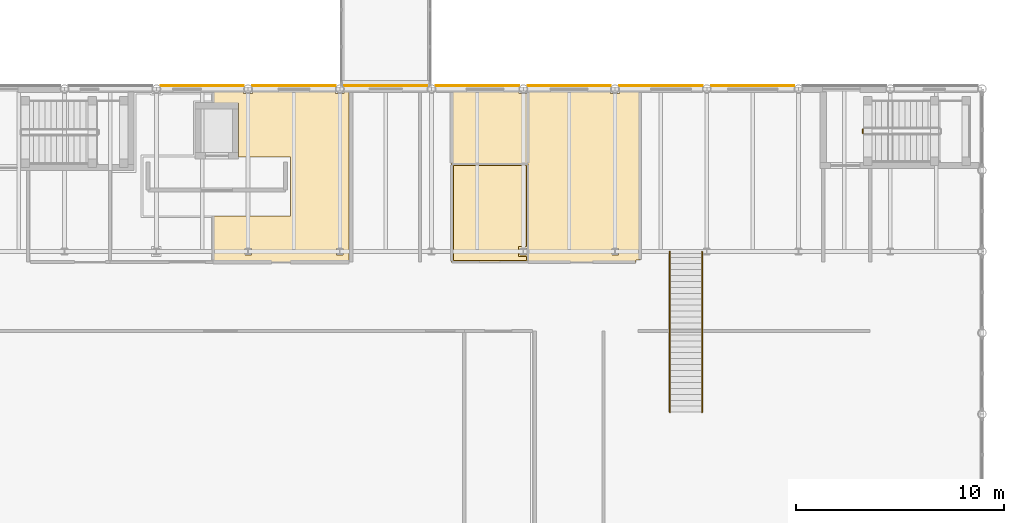
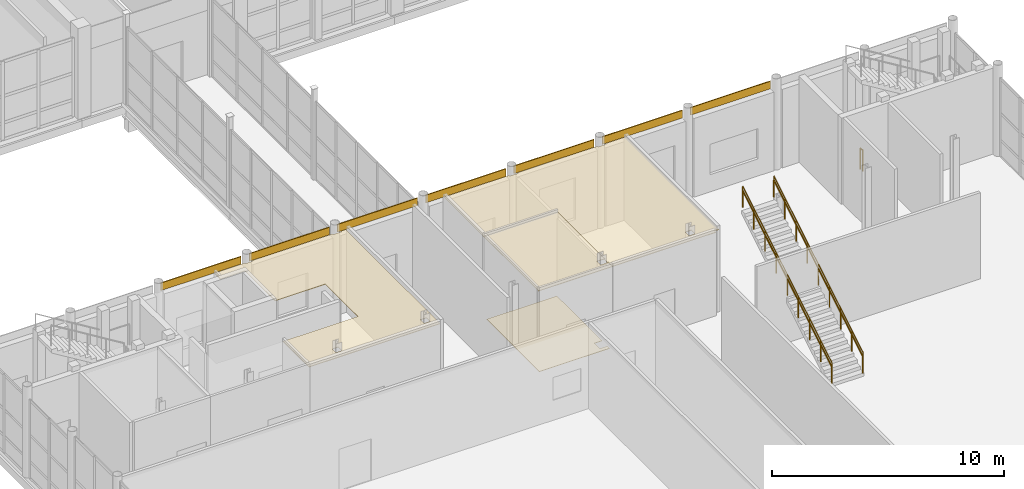
# One storey, part 121 of 131: 11 coverings, 5 railings.
"""IFC4 building model written with IfcOpenShell, lengths in metres."""

from ifc_helpers import new_model, si_unit, direction, frame, origin, origin_2d, place, context, subcontext, project, spatial, polyline, rectangle, circle, outline, extrude, material, layer, layer_set, type_object, element, save


model = new_model("IFC4")

# Units and contexts
model_context = context("Model", 3, precision=1e-05, world=origin(), true_north=direction((0.0, 1.0)))
body_context = subcontext(model_context, "Body", "Model", "MODEL_VIEW")
ifc_project = project(units=[si_unit("LENGTHUNIT", "METRE"), si_unit("AREAUNIT", "SQUARE_METRE"), si_unit("VOLUMEUNIT", "CUBIC_METRE"), si_unit("PLANEANGLEUNIT", "RADIAN"), si_unit("MASSUNIT", "GRAM", prefix="KILO")], contexts=[model_context])

# Site, building, storey
site_placement = place(None, origin())
site = spatial("IfcSite", under=ifc_project, at=site_placement, CompositionType="ELEMENT")
building_placement = place(site_placement, origin())
building = spatial("IfcBuilding", under=site, at=building_placement, Name="Celorna Specialist Clinic", CompositionType="ELEMENT")
storey_placement = place(building_placement, origin())
storey = spatial("IfcBuildingStorey", under=building, at=storey_placement, Name="L00", CompositionType="ELEMENT", Elevation=0.0)

# Railings
ifc_material_1 = material(Name="Stainless steel and laminated glass balustrade", Category="steel")
railing_type_1 = type_object("IfcRailingType", Name="BL-01", PredefinedType="BALUSTRADE", material=ifc_material_1)
for number, where, name in (
    (1, (89.574951171875, 62.5, 0.17138671875), "Feature stair ST-15 balustrade"),
    (2, (88.02490234375, 62.5, 0.17138671875), "Feature stair ST-15 balustrade"),
):
    element("IfcRailing", number, at=place(storey_placement, frame(where)), inside=storey, type_object=railing_type_1, Name=name, PredefinedType="BALUSTRADE", context=body_context, shape_type="SweptSolid", body=[
        extrude(circle(Radius=0.02392578125, at=origin_2d()), frame((0.0, 0.0, 1.09619140625), z_axis=(0.0, 0.856921461139, 0.515446999642), x_axis=(-1.0, 0.0, 0.0)), (0.0, 0.0, 1.0), 8.97998046875),
        extrude(circle(Radius=0.02099609375, at=origin_2d()), origin(), (0.0, 0.0, 1.0), 1.072021484375),
        extrude(circle(Radius=0.02099609375, at=origin_2d()), frame((0.0, 0.9619140625, 0.57861328125)), (0.0, 0.0, 1.0), 1.072021484375),
        extrude(circle(Radius=0.02099609375, at=origin_2d()), frame((0.0, 1.923828125, 1.1572265625)), (0.0, 0.0, 1.0), 1.072021484375),
        extrude(circle(Radius=0.02099609375, at=origin_2d()), frame((0.0, 2.8857421875, 1.73583984375)), (0.0, 0.0, 1.0), 1.072021484375),
        extrude(circle(Radius=0.02099609375, at=origin_2d()), frame((0.0, 3.84765625, 2.314453125)), (0.0, 0.0, 1.0), 1.072021484375),
        extrude(circle(Radius=0.02099609375, at=origin_2d()), frame((0.0, 4.809326171875, 2.892822265625)), (0.0, 0.0, 1.0), 1.072021484375),
        extrude(circle(Radius=0.02099609375, at=origin_2d()), frame((0.0, 5.771240234375, 3.471435546875)), (0.0, 0.0, 1.0), 1.072021484375),
        extrude(circle(Radius=0.02099609375, at=origin_2d()), frame((0.0, 6.733154296875, 4.050048828125)), (0.0, 0.0, 1.0), 1.072021484375),
        extrude(circle(Radius=0.02099609375, at=origin_2d()), frame((0.0, 7.695068359375, 4.628662109375)), (0.0, 0.0, 1.0), 1.072021484375),
    ])

# Coverings
ifc_material_2 = material(Name="Hygienic acoustic mineral-fibre ceiling")
ifc_layer_1 = layer(ifc_material_2, 0.030029296875, Name="Hygienic acoustic mineral-fibre ceiling")
ifc_layer_set_1 = layer_set([ifc_layer_1], Name="Hygienic acoustic mineral-fibre ceiling")
covering_type_1 = type_object("IfcCoveringType", Name="CE-01", PredefinedType="CEILING", material=ifc_layer_set_1)
covering_1_placement = place(storey_placement, frame((0.0, 0.0, 4.330078125)))
element("IfcCovering", 3, at=covering_1_placement, inside=storey, type_object=covering_type_1, Name="Acoustic ceiling L00-021", PredefinedType="CEILING", context=body_context, shape_type="SweptSolid", body=[
    extrude(outline(polyline([(71.99169921875, 77.844970703125), (71.99169921875, 77.791748046875), (72.408203125, 77.791748046875), (72.408203125, 77.844970703125), (72.64501953125, 77.844970703125), (72.64501953125, 69.68505859375), (66.10498046875, 69.68505859375), (66.10498046875, 71.9150390625), (69.8349609375, 71.9150390625), (69.8349609375, 74.735107421875), (67.3349609375, 74.735107421875), (67.3349609375, 77.3349609375), (66.10498046875, 77.3349609375), (66.10498046875, 77.844970703125), (67.591796875, 77.844970703125), (67.591796875, 77.791748046875), (68.00830078125, 77.791748046875), (68.00830078125, 77.844970703125), (71.99169921875, 77.844970703125)]), holes=[polyline([(72.35498046875, 70.044921875), (72.35498046875, 70.35498046875), (72.044921875, 70.35498046875), (72.044921875, 70.044921875), (72.35498046875, 70.044921875)]), polyline([(67.955078125, 70.044921875), (67.955078125, 70.35498046875), (67.64501953125, 70.35498046875), (67.64501953125, 70.044921875), (67.955078125, 70.044921875)])]), origin(), (0.0, 0.0, 1.0), 0.030029296875),
])
covering_2_placement = place(storey_placement, frame((0.0, 0.0, 4.330078125)))
element("IfcCovering", 4, at=covering_2_placement, inside=storey, type_object=covering_type_1, Name="Acoustic ceiling L00-022", PredefinedType="CEILING", context=body_context, shape_type="SweptSolid", body=[
    extrude(outline(polyline([(81.235107421875, 74.4150390625), (81.235107421875, 70.344970703125), (81.155029296875, 70.344970703125), (81.155029296875, 70.35498046875), (80.844970703125, 70.35498046875), (80.844970703125, 70.044921875), (81.155029296875, 70.044921875), (81.155029296875, 70.054931640625), (81.235107421875, 70.054931640625), (81.235107421875, 69.68505859375), (77.554931640625, 69.68505859375), (77.554931640625, 74.4150390625), (81.235107421875, 74.4150390625)])), origin(), (0.0, 0.0, 1.0), 0.030029296875),
])
covering_3_placement = place(storey_placement, frame((0.0, 0.0, 4.330078125)))
element("IfcCovering", 5, at=covering_3_placement, inside=storey, type_object=covering_type_1, Name="Acoustic ceiling L00-023", PredefinedType="CEILING", context=body_context, shape_type="SweptSolid", body=[
    extrude(outline(polyline([(85.19189453125, 77.844970703125), (85.19189453125, 77.791748046875), (85.608154296875, 77.791748046875), (85.608154296875, 77.844970703125), (86.614990234375, 77.844970703125), (86.614990234375, 69.804931640625), (86.39501953125, 69.804931640625), (86.39501953125, 69.68505859375), (81.205078125, 69.68505859375), (81.205078125, 74.385009765625), (77.554931640625, 74.385009765625), (77.554931640625, 77.844970703125), (80.791748046875, 77.844970703125), (80.791748046875, 77.791748046875), (81.208251953125, 77.791748046875), (81.208251953125, 77.844970703125), (85.19189453125, 77.844970703125)]), holes=[polyline([(85.554931640625, 70.35498046875), (85.2451171875, 70.35498046875), (85.2451171875, 70.044921875), (85.554931640625, 70.044921875), (85.554931640625, 70.35498046875)])]), origin(), (0.0, 0.0, 1.0), 0.030029296875),
])
ifc_material_3 = material(Name="Pero Pinheiro Lioz limestone rainscreen cladding", Category="masonry")
ifc_layer_2 = layer(ifc_material_3, 0.044921875, Name="Pero Pinheiro Lioz limestone rainscreen cladding")
ifc_layer_set_2 = layer_set([ifc_layer_2], Name="Pero Pinheiro Lioz limestone rainscreen cladding")
covering_type_2 = type_object("IfcCoveringType", Name="CL-01", PredefinedType="CLADDING", material=ifc_layer_set_2)
for number, where, z_axis, x_axis, name in (
    (6, (65.60009765625, 78.1474609375, 4.14013671875), (0.0, 0.0, 1.0), (1.0, 0.0, 0.0), "Lioz spandrel cladding #82"),
    (7, (70.0, 78.1474609375, 4.14013671875), (0.0, 0.0, 1.0), (1.0, 0.0, 0.0), "Lioz spandrel cladding #83"),
    (8, (74.39990234375, 78.1474609375, 4.14013671875), (0.0, 0.0, 1.0), (1.0, 0.0, 0.0), "Lioz spandrel cladding #84"),
    (9, (78.800048828125, 78.1474609375, 4.14013671875), (0.0, 0.0, 1.0), (1.0, 0.0, 0.0), "Lioz spandrel cladding #85"),
    (10, (83.199951171875, 78.1474609375, 4.14013671875), (0.0, 0.0, 1.0), (1.0, 0.0, 0.0), "Lioz spandrel cladding #86"),
    (11, (87.60009765625, 78.1474609375, 4.14013671875), (0.0, 0.0, 1.0), (1.0, 0.0, 0.0), "Lioz spandrel cladding #87"),
    (12, (92.0, 78.1474609375, 4.14013671875), (0.0, 0.0, 1.0), (1.0, 0.0, 0.0), "Lioz spandrel cladding #88"),
):
    element("IfcCovering", number, at=place(storey_placement, frame(where, z_axis=z_axis, x_axis=x_axis)), inside=storey, type_object=covering_type_2, Name=name, PredefinedType="CLADDING", context=body_context, shape_type="SweptSolid", body=[
        extrude(rectangle(XDim=3.99365234375, YDim=0.044921875, at=origin_2d()), origin(), (0.0, 0.0, 1.0), 0.39990234375),
    ])
ifc_material_4 = material(Name="Seamless antimicrobial clinical vinyl and Lioz terrazzo flooring")
ifc_layer_3 = layer(ifc_material_4, 0.02001953125, Name="Seamless antimicrobial clinical vinyl and Lioz terrazzo flooring")
ifc_layer_set_3 = layer_set([ifc_layer_3], Name="Seamless antimicrobial clinical vinyl and Lioz terrazzo flooring")
covering_type_3 = type_object("IfcCoveringType", Name="FL-01", PredefinedType="FLOORING", material=ifc_layer_set_3)
covering_4_placement = place(storey_placement, origin())
element("IfcCovering", 13, at=covering_4_placement, inside=storey, type_object=covering_type_3, Name="Antimicrobial clinical flooring L00-022", PredefinedType="FLOORING", context=body_context, shape_type="SweptSolid", body=[
    extrude(outline(polyline([(77.64501953125, 74.324951171875), (81.14501953125, 74.324951171875), (81.14501953125, 70.43505859375), (80.764892578125, 70.43505859375), (80.764892578125, 69.965087890625), (81.14501953125, 69.965087890625), (81.14501953125, 69.77490234375), (77.64501953125, 69.77490234375), (77.64501953125, 74.324951171875)])), origin(), (0.0, 0.0, 1.0), 0.02001953125),
])

# Railings
ifc_material_5 = material(Name="Powder-coated steel S355", Category="steel")
railing_type_2 = type_object("IfcRailingType", Name="GR-01", PredefinedType="GUARDRAIL", material=ifc_material_5)
railing_placement = place(storey_placement, frame((97.2900390625, 75.8798828125, 0.0)))
element("IfcRailing", 14, at=railing_placement, inside=storey, type_object=railing_type_2, Name="L00 ST-11 stair guard 4", PredefinedType="GUARDRAIL", context=body_context, shape_type="SweptSolid", body=[
    extrude(circle(Radius=0.02392578125, at=origin_2d()), frame((0.0, 0.0, 1.09619140625), z_axis=(0.0, 1.0, 0.0), x_axis=(-1.0, 0.0, 0.0)), (0.0, 0.0, 1.0), 0.2001953125),
    extrude(circle(Radius=0.02099609375, at=origin_2d()), origin(), (0.0, 0.0, 1.0), 1.072021484375),
    extrude(circle(Radius=0.02099609375, at=origin_2d()), frame((0.0, 0.2001953125, 0.0)), (0.0, 0.0, 1.0), 1.072021484375),
])
ifc_material_6 = material(Name="Brushed stainless steel handrail", Category="steel")
railing_type_3 = type_object("IfcRailingType", Name="HR-01", PredefinedType="HANDRAIL", material=ifc_material_6)
for number, where, name in (
    (15, (89.574951171875, 62.5, 0.17138671875), "Feature stair ST-15 handrail"),
    (16, (88.02490234375, 62.5, 0.17138671875), "Feature stair ST-15 handrail"),
):
    element("IfcRailing", number, at=place(storey_placement, frame(where)), inside=storey, type_object=railing_type_3, Name=name, PredefinedType="HANDRAIL", context=body_context, shape_type="SweptSolid", body=[
        extrude(circle(Radius=0.02392578125, at=origin_2d()), frame((0.0, 0.0, 0.8759765625), z_axis=(0.0, 0.856921461139, 0.515446999642), x_axis=(-1.0, 0.0, 0.0)), (0.0, 0.0, 1.0), 8.97998046875),
        extrude(circle(Radius=0.02099609375, at=origin_2d()), origin(), (0.0, 0.0, 1.0), 0.851806640625),
        extrude(circle(Radius=0.02099609375, at=origin_2d()), frame((0.0, 0.9619140625, 0.57861328125)), (0.0, 0.0, 1.0), 0.851806640625),
        extrude(circle(Radius=0.02099609375, at=origin_2d()), frame((0.0, 1.923828125, 1.1572265625)), (0.0, 0.0, 1.0), 0.851806640625),
        extrude(circle(Radius=0.02099609375, at=origin_2d()), frame((0.0, 2.8857421875, 1.73583984375)), (0.0, 0.0, 1.0), 0.851806640625),
        extrude(circle(Radius=0.02099609375, at=origin_2d()), frame((0.0, 3.84765625, 2.314453125)), (0.0, 0.0, 1.0), 0.851806640625),
        extrude(circle(Radius=0.02099609375, at=origin_2d()), frame((0.0, 4.809326171875, 2.892822265625)), (0.0, 0.0, 1.0), 0.851806640625),
        extrude(circle(Radius=0.02099609375, at=origin_2d()), frame((0.0, 5.771240234375, 3.471435546875)), (0.0, 0.0, 1.0), 0.851806640625),
        extrude(circle(Radius=0.02099609375, at=origin_2d()), frame((0.0, 6.733154296875, 4.050048828125)), (0.0, 0.0, 1.0), 0.851806640625),
        extrude(circle(Radius=0.02099609375, at=origin_2d()), frame((0.0, 7.695068359375, 4.628662109375)), (0.0, 0.0, 1.0), 0.851806640625),
    ])

save(model, "model.ifc")
